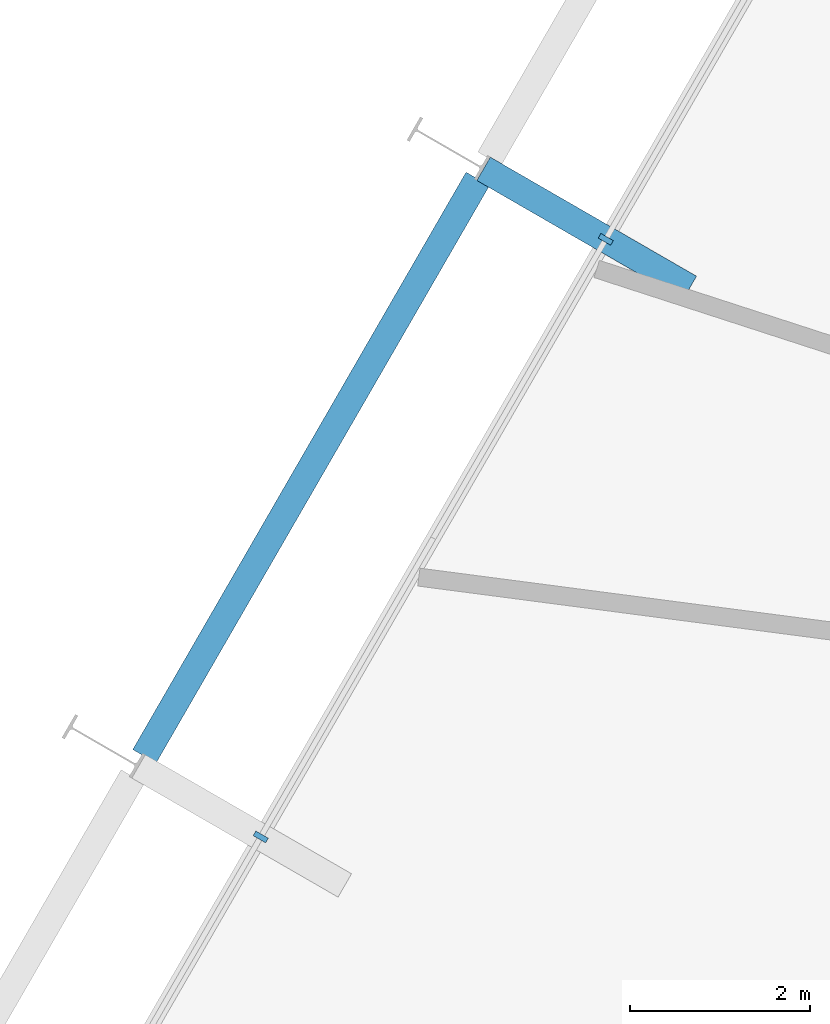
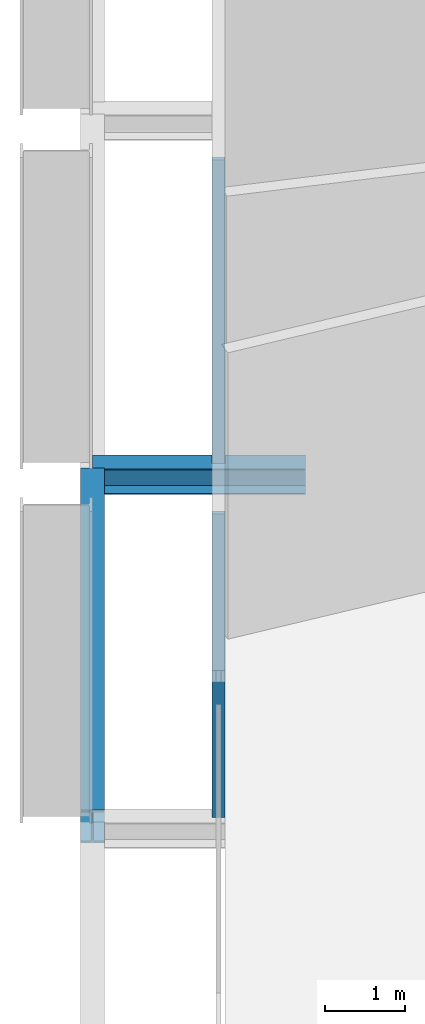
# One storey, part 5 of 17: 2 beams, 2 members, 1 element without a shape of its own.
"""IFC4 building model written with IfcOpenShell, lengths in metres."""

from ifc_helpers import new_model, si_unit, direction, frame, origin, origin_2d, place, context, subcontext, project, spatial, rectangle, i_section, extrude, material, layer, layer_set, material_profile, profile_set, type_object, element, aggregate, save


model = new_model("IFC4")

# Units and contexts
model_context = context("Model", 3, precision=1e-05, world=origin(), true_north=direction((0.0, 1.0)))
body_context = subcontext(model_context, "Body", "Model", "MODEL_VIEW")
ifc_project = project(units=[si_unit("LENGTHUNIT", "METRE"), si_unit("AREAUNIT", "SQUARE_METRE"), si_unit("VOLUMEUNIT", "CUBIC_METRE"), si_unit("PLANEANGLEUNIT", "RADIAN"), si_unit("MASSUNIT", "GRAM", prefix="KILO")], contexts=[model_context])

# Site, building, storey
site_placement = place(None, origin())
site = spatial("IfcSite", under=ifc_project, at=site_placement, CompositionType="ELEMENT")
building_placement = place(site_placement, origin())
building = spatial("IfcBuilding", under=site, at=building_placement, Name="Spindle Arch Residences", CompositionType="ELEMENT")
storey_placement = place(building_placement, frame((0.0, 0.0, 28.199951171875)))
storey = spatial("IfcBuildingStorey", under=building, at=storey_placement, Name="L05", CompositionType="ELEMENT", Elevation=28.199951171875)

# Curtain wall, members
ifc_material_1 = material(Name="Aluminium bronze unitised frame with tinted glass", Category="aluminium")
ifc_layer = layer(ifc_material_1, 0.159912109375)
ifc_layer_set = layer_set([ifc_layer], Name="CW-B amenity podium glazed wall")
curtain_wall_type = type_object("IfcCurtainWallType", Name="CW-B amenity podium glazed wall", PredefinedType="NOTDEFINED", material=ifc_layer_set)
curtain_wall_placement = place(storey_placement, origin())
curtain_wall = element("IfcCurtainWall", 1, at=curtain_wall_placement, inside=storey, type_object=curtain_wall_type, Name="CW-B L05 run 4", PredefinedType="NOTDEFINED")
ifc_material_2 = material(Name="Aluminium bronze anodised mullion", Category="aluminium")
ifc_material_profile_1 = material_profile(ifc_material_2, rectangle(XDim=0.159912109375, YDim=0.06005859375, at=origin_2d()), Name="MU 60x160")
ifc_profile_set_1 = profile_set([ifc_material_profile_1], Name="Aluminium bronze anodised mullion")
member_type = type_object("IfcMemberType", Name="Bronze mullion 60x160", PredefinedType="MULLION", material=ifc_profile_set_1)
member_1_placement = place(storey_placement, frame((-18.9892578125, 6.529296875, -0.3798828125), z_axis=(0.0, 0.0, 1.0), x_axis=(0.866025403784, -0.5, 0.0)))
member_1 = element("IfcMember", 2, at=member_1_placement, type_object=member_type, Name="CW-B mullion 16", PredefinedType="MULLION", context=body_context, shape_type="SweptSolid", body=[
    extrude(rectangle(XDim=0.159912109375, YDim=0.06005859375, at=origin_2d()), origin(), (0.0, 0.0, 1.0), 4.60986328125),
])
member_2_placement = place(storey_placement, frame((-22.829345703125, -0.121826171875, -0.3798828125), z_axis=(0.0, 0.0, 1.0), x_axis=(0.866025403784, -0.5, 0.0)))
member_2 = element("IfcMember", 3, at=member_2_placement, type_object=member_type, Name="CW-B mullion 17", PredefinedType="MULLION", context=body_context, shape_type="SweptSolid", body=[
    extrude(rectangle(XDim=0.159912109375, YDim=0.06005859375, at=origin_2d()), origin(), (0.0, 0.0, 1.0), 4.60986328125),
])
aggregate(curtain_wall, [member_1, member_2])

# Beams
ifc_material_3 = material(Name="Steel S460ML, intumescent coating R 120", Category="steel")
ifc_material_profile_2 = material_profile(ifc_material_3, i_section(OverallWidth=0.300048828125, OverallDepth=0.5, WebThickness=0.014404296875, FlangeThickness=0.028076171875, FilletRadius=0.027099609375, at=origin_2d()), Name="HEB 500")
ifc_profile_set_2 = profile_set([ifc_material_profile_2], Name="Steel S460ML, intumescent coating R 120")
beam_type_1 = type_object("IfcBeamType", Name="Exoskeleton edge beam HEB 500", PredefinedType="BEAM", material=ifc_profile_set_2)
beam_1_placement = place(storey_placement, frame((-20.4140625, 7.201904296875, -0.6298828125), z_axis=(-0.49998923004, -0.866031621735, 0.0), x_axis=(0.866031621735, -0.49998923004, 0.0)))
element("IfcBeam", 4, at=beam_1_placement, inside=storey, type_object=beam_type_1, Name="Exoskeleton edge beam 17", PredefinedType="BEAM", context=body_context, shape_type="SweptSolid", body=[
    extrude(i_section(OverallWidth=0.300048828125, OverallDepth=0.5, WebThickness=0.014404296875, FlangeThickness=0.028076171875, FilletRadius=0.027099609375, at=origin_2d()), origin(), (0.0, 0.0, 1.0), 7.420166015625),
])
ifc_material_4 = material(Name="Steel S460ML, intumescent coating R 120", Category="steel")
ifc_material_profile_3 = material_profile(ifc_material_4, i_section(OverallWidth=0.300048828125, OverallDepth=0.389892578125, WebThickness=0.010986328125, FlangeThickness=0.01904296875, FilletRadius=0.027099609375, at=origin_2d()), Name="HEA 400")
ifc_profile_set_3 = profile_set([ifc_material_profile_3], Name="Steel S460ML, intumescent coating R 120")
beam_type_2 = type_object("IfcBeamType", Name="Floor outrigger HEA 400", PredefinedType="BEAM", material=ifc_profile_set_3)
beam_2_placement = place(storey_placement, frame((-20.34912109375, 7.314453125, -0.574951171875), z_axis=(0.866052124492, -0.499953715521, 0.0), x_axis=(0.499953715521, 0.866052124492, 0.0)))
element("IfcBeam", 5, at=beam_2_placement, inside=storey, type_object=beam_type_2, Name="Floor outrigger 17", PredefinedType="BEAM", context=body_context, shape_type="SweptSolid", body=[
    extrude(i_section(OverallWidth=0.300048828125, OverallDepth=0.389892578125, WebThickness=0.010986328125, FlangeThickness=0.01904296875, FilletRadius=0.027099609375, at=origin_2d()), origin(), (0.0, 0.0, 1.0), 2.650146484375),
])

save(model, "model.ifc")
